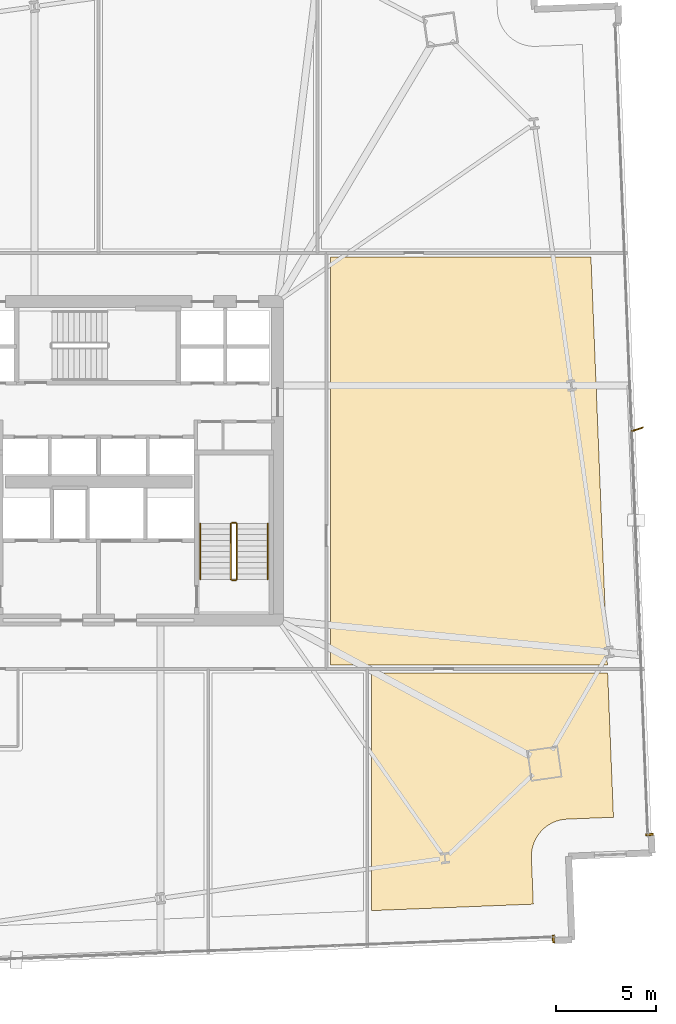
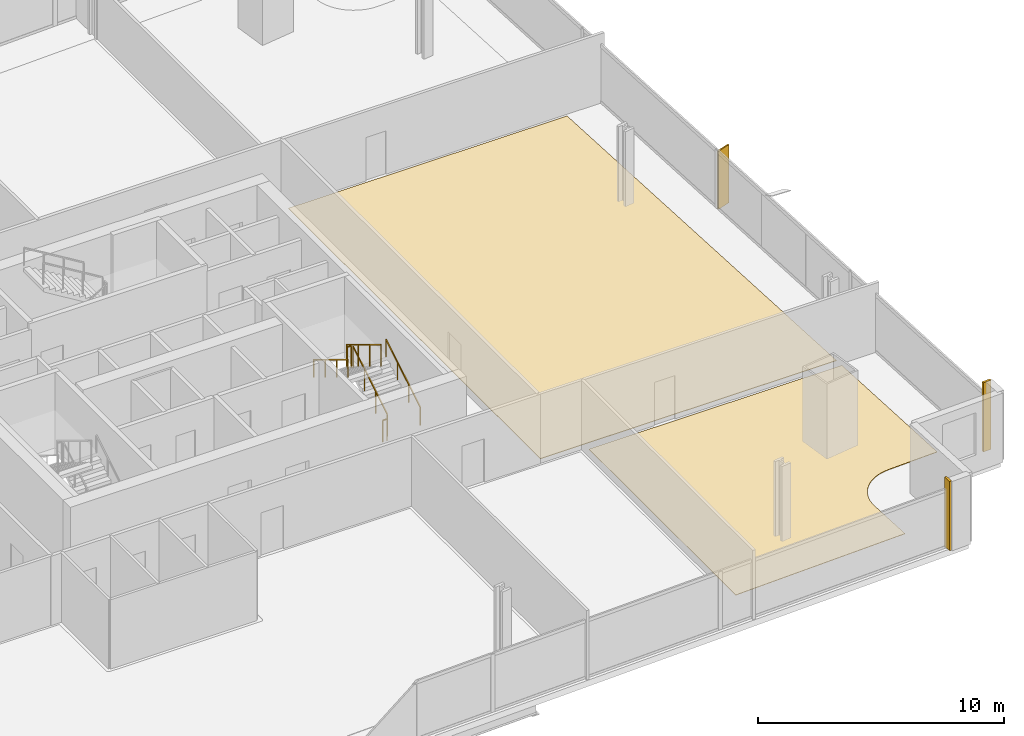
# One storey, part 31 of 32: 6 railings, 4 coverings, 1 shading device.
"""IFC4 building model written with IfcOpenShell, lengths in metres."""

from ifc_helpers import new_model, si_unit, direction, frame, origin, origin_2d, place, context, subcontext, project, spatial, polyline, rectangle, outline, extrude, source, transform, mapped, material, layer, layer_set, type_object, element, save


model = new_model("IFC4")

# Units and contexts
model_context = context("Model", 3, precision=1e-05, world=origin(), true_north=direction((0.0, 1.0)))
body_context = subcontext(model_context, "Body", "Model", "MODEL_VIEW")
ifc_project = project(units=[si_unit("LENGTHUNIT", "METRE"), si_unit("AREAUNIT", "SQUARE_METRE"), si_unit("VOLUMEUNIT", "CUBIC_METRE"), si_unit("PLANEANGLEUNIT", "RADIAN"), si_unit("MASSUNIT", "GRAM", prefix="KILO")], contexts=[model_context])

# Site, building, storey
site_placement = place(None, origin())
site = spatial("IfcSite", under=ifc_project, at=site_placement, CompositionType="ELEMENT")
building_placement = place(site_placement, origin())
building = spatial("IfcBuilding", under=site, at=building_placement, Name="Haldenkirk Collegiate Tower", CompositionType="ELEMENT")
storey_placement = place(building_placement, frame((0.0, 0.0, 36.449951171875)))
storey = spatial("IfcBuildingStorey", under=building, at=storey_placement, Name="L07", CompositionType="ELEMENT", Elevation=36.449951171875)

# Coverings
ifc_material_1 = material(Name="Polished collegiate terrazzo", Category="concrete")
ifc_layer_1 = layer(ifc_material_1, 0.02490234375)
ifc_layer_set_1 = layer_set([ifc_layer_1], Name="Polished collegiate terrazzo")
covering_type_1 = type_object("IfcCoveringType", Name="COV-FLOOR-TERRAZZO", PredefinedType="FLOORING", material=ifc_layer_set_1)
covering_1_placement = place(storey_placement, origin())
element("IfcCovering", 1, at=covering_1_placement, inside=storey, type_object=covering_type_1, Name="L07 academic room finish 12", PredefinedType="FLOORING", context=body_context, shape_type="SweptSolid", body=[
    extrude(outline(polyline([(61.56201171875, 15.75), (47.64990234375, 15.75), (47.64990234375, 36.25), (60.738525390625, 36.25), (61.56201171875, 15.75)])), origin(), (0.0, 0.0, 1.0), 0.025146484375),
])
ifc_material_2 = material(Name="Engineered collegiate oak acoustic flooring", Category="wood")
ifc_layer_2 = layer(ifc_material_2, 0.02197265625)
ifc_layer_set_2 = layer_set([ifc_layer_2], Name="Engineered collegiate oak acoustic flooring")
covering_type_2 = type_object("IfcCoveringType", Name="COV-FLOOR-TIMBER", PredefinedType="FLOORING", material=ifc_layer_set_2)
covering_2_placement = place(storey_placement, origin())
element("IfcCovering", 2, at=covering_2_placement, inside=storey, type_object=covering_type_2, Name="L07 academic room finish 03", PredefinedType="FLOORING", context=body_context, shape_type="SweptSolid", body=[
    extrude(outline(polyline([(61.869384765625, 8.09375), (59.54150390625, 8.000244140625), (59.535400390625, 8.0), (59.364501953125, 7.984619140625), (59.352783203125, 7.98291015625), (59.18408203125, 7.950927734375), (59.172607421875, 7.9482421875), (59.0078125, 7.89990234375), (58.99658203125, 7.89599609375), (58.83740234375, 7.831787109375), (58.826904296875, 7.82666015625), (58.674560546875, 7.7470703125), (58.664306640625, 7.7412109375), (58.520751953125, 7.647216796875), (58.51123046875, 7.64013671875), (58.37744140625, 7.5322265625), (58.36865234375, 7.5244140625), (58.24609375, 7.404296875), (58.23828125, 7.3955078125), (58.128173828125, 7.263671875), (58.12109375, 7.25439453125), (58.0244140625, 7.112548828125), (58.018310546875, 7.102294921875), (57.935791015625, 6.95166015625), (57.930908203125, 6.941162109375), (57.863525390625, 6.782958984375), (57.859619140625, 6.77197265625), (57.80810546875, 6.60791015625), (57.80517578125, 6.5966796875), (57.770263671875, 6.4287109375), (57.768310546875, 6.4169921875), (57.75, 6.24609375), (57.749267578125, 6.234375), (57.747802734375, 6.0625), (57.747802734375, 6.056884765625), (57.84130859375, 3.728515625), (49.699951171875, 3.401611328125), (49.699951171875, 15.35009765625), (61.577880859375, 15.35009765625), (61.869384765625, 8.09375)])), origin(), (0.0, 0.0, 1.0), 0.02197265625),
])

# Railings
ifc_material_3 = material(Name="Painted architectural tubular steel", Category="steel")
railing_type_1 = type_object("IfcRailingType", Name="RLG-STAIR-GUARD-1100", PredefinedType="BALUSTRADE", material=ifc_material_3)
railing_1_placement = place(storey_placement, frame((42.949951171875, 20.050048828125, 0.17041015625)))
element("IfcRailing", 3, at=railing_1_placement, inside=storey, type_object=railing_type_1, Name="L07 ST-2 stair guard 1", PredefinedType="BALUSTRADE", context=body_context, shape_type="SweptSolid", body=[
    extrude(rectangle(XDim=0.048095703125, YDim=0.048095703125, at=origin_2d()), frame((0.0, 0.0, 1.076171875), z_axis=(0.0, 0.854169791009, 0.51999420009), x_axis=(-1.0, 0.0, 0.0)), (0.0, 0.0, 1.0), 3.278076171875),
    extrude(rectangle(XDim=0.0419921875, YDim=0.0419921875, at=origin_2d()), origin(), (0.0, 0.0, 1.0), 1.052001953125),
    extrude(rectangle(XDim=0.0419921875, YDim=0.0419921875, at=origin_2d()), frame((0.0, 0.933349609375, 0.568115234375)), (0.0, 0.0, 1.0), 1.052001953125),
    extrude(rectangle(XDim=0.0419921875, YDim=0.0419921875, at=origin_2d()), frame((0.0, 1.86669921875, 1.136474609375)), (0.0, 0.0, 1.0), 1.052001953125),
    extrude(rectangle(XDim=0.0419921875, YDim=0.0419921875, at=origin_2d()), frame((0.0, 2.800048828125, 1.70458984375)), (0.0, 0.0, 1.0), 1.052001953125),
])
railing_2_placement = place(storey_placement, frame((42.89990234375, 22.89990234375, 1.875)))
element("IfcRailing", 4, at=railing_2_placement, inside=storey, type_object=railing_type_1, Name="L07 ST-2 stair guard 2", PredefinedType="BALUSTRADE", context=body_context, shape_type="SweptSolid", body=[
    extrude(rectangle(XDim=0.048095703125, YDim=0.048095703125, at=origin_2d()), frame((0.0, 0.0, 1.076171875), z_axis=(-1.0, 0.0, 0.0), x_axis=(0.0, -1.0, 0.0)), (0.0, 0.0, 1.0), 0.199951171875),
    extrude(rectangle(XDim=0.0419921875, YDim=0.0419921875, at=origin_2d()), origin(), (0.0, 0.0, 1.0), 1.052001953125),
    extrude(rectangle(XDim=0.0419921875, YDim=0.0419921875, at=origin_2d()), frame((-0.199951171875, 0.0, 0.0)), (0.0, 0.0, 1.0), 1.052001953125),
])
railing_3_placement = place(storey_placement, frame((42.64990234375, 22.85009765625, 2.04541015625)))
element("IfcRailing", 5, at=railing_3_placement, inside=storey, type_object=railing_type_1, Name="L07 ST-2 stair guard 3", PredefinedType="BALUSTRADE", context=body_context, shape_type="SweptSolid", body=[
    extrude(rectangle(XDim=0.048095703125, YDim=0.048095703125, at=origin_2d()), frame((0.0, 0.0, 1.076171875), z_axis=(0.0, -0.854169791009, 0.51999420009), x_axis=(1.0, 0.0, 0.0)), (0.0, 0.0, 1.0), 3.278076171875),
    extrude(rectangle(XDim=0.0419921875, YDim=0.0419921875, at=origin_2d()), origin(), (0.0, 0.0, 1.0), 1.052001953125),
    extrude(rectangle(XDim=0.0419921875, YDim=0.0419921875, at=origin_2d()), frame((0.0, -0.933349609375, 0.568115234375)), (0.0, 0.0, 1.0), 1.052001953125),
    extrude(rectangle(XDim=0.0419921875, YDim=0.0419921875, at=origin_2d()), frame((0.0, -1.86669921875, 1.136474609375)), (0.0, 0.0, 1.0), 1.052001953125),
    extrude(rectangle(XDim=0.0419921875, YDim=0.0419921875, at=origin_2d()), frame((0.0, -2.800048828125, 1.70458984375)), (0.0, 0.0, 1.0), 1.052001953125),
])
railing_4_placement = place(storey_placement, frame((42.89990234375, 20.0, 0.0)))
element("IfcRailing", 6, at=railing_4_placement, inside=storey, type_object=railing_type_1, Name="L07 ST-2 stair guard 4", PredefinedType="BALUSTRADE", context=body_context, shape_type="SweptSolid", body=[
    extrude(rectangle(XDim=0.048095703125, YDim=0.048095703125, at=origin_2d()), frame((0.0, 0.0, 1.076171875), z_axis=(-1.0, 0.0, 0.0), x_axis=(0.0, -1.0, 0.0)), (0.0, 0.0, 1.0), 0.199951171875),
    extrude(rectangle(XDim=0.0419921875, YDim=0.0419921875, at=origin_2d()), origin(), (0.0, 0.0, 1.0), 1.052001953125),
    extrude(rectangle(XDim=0.0419921875, YDim=0.0419921875, at=origin_2d()), frame((-0.199951171875, 0.0, 0.0)), (0.0, 0.0, 1.0), 1.052001953125),
])
railing_type_2 = type_object("IfcRailingType", Name="RLG-STAIR-HANDRAIL-900", PredefinedType="HANDRAIL", material=ifc_material_3)
railing_5_placement = place(storey_placement, frame((44.5, 20.050048828125, 0.17041015625)))
element("IfcRailing", 7, at=railing_5_placement, inside=storey, type_object=railing_type_2, Name="L07 ST-2 stair handrail 1", PredefinedType="HANDRAIL", context=body_context, shape_type="SweptSolid", body=[
    extrude(rectangle(XDim=0.048095703125, YDim=0.048095703125, at=origin_2d()), frame((0.0, 0.0, 0.8759765625), z_axis=(0.0, 0.854169791009, 0.51999420009), x_axis=(-1.0, 0.0, 0.0)), (0.0, 0.0, 1.0), 3.278076171875),
    extrude(rectangle(XDim=0.0419921875, YDim=0.0419921875, at=origin_2d()), origin(), (0.0, 0.0, 1.0), 0.851806640625),
    extrude(rectangle(XDim=0.0419921875, YDim=0.0419921875, at=origin_2d()), frame((0.0, 0.933349609375, 0.568115234375)), (0.0, 0.0, 1.0), 0.851806640625),
    extrude(rectangle(XDim=0.0419921875, YDim=0.0419921875, at=origin_2d()), frame((0.0, 1.86669921875, 1.136474609375)), (0.0, 0.0, 1.0), 0.851806640625),
    extrude(rectangle(XDim=0.0419921875, YDim=0.0419921875, at=origin_2d()), frame((0.0, 2.800048828125, 1.70458984375)), (0.0, 0.0, 1.0), 0.851806640625),
])
railing_6_placement = place(storey_placement, frame((41.10009765625, 22.85009765625, 2.04541015625)))
element("IfcRailing", 8, at=railing_6_placement, inside=storey, type_object=railing_type_2, Name="L07 ST-2 stair handrail 2", PredefinedType="HANDRAIL", context=body_context, shape_type="SweptSolid", body=[
    extrude(rectangle(XDim=0.048095703125, YDim=0.048095703125, at=origin_2d()), frame((0.0, 0.0, 0.8759765625), z_axis=(0.0, -0.854169791009, 0.51999420009), x_axis=(1.0, 0.0, 0.0)), (0.0, 0.0, 1.0), 3.278076171875),
    extrude(rectangle(XDim=0.0419921875, YDim=0.0419921875, at=origin_2d()), origin(), (0.0, 0.0, 1.0), 0.851806640625),
    extrude(rectangle(XDim=0.0419921875, YDim=0.0419921875, at=origin_2d()), frame((0.0, -0.933349609375, 0.568115234375)), (0.0, 0.0, 1.0), 0.851806640625),
    extrude(rectangle(XDim=0.0419921875, YDim=0.0419921875, at=origin_2d()), frame((0.0, -1.86669921875, 1.136474609375)), (0.0, 0.0, 1.0), 0.851806640625),
    extrude(rectangle(XDim=0.0419921875, YDim=0.0419921875, at=origin_2d()), frame((0.0, -2.800048828125, 1.70458984375)), (0.0, 0.0, 1.0), 0.851806640625),
])

# Coverings
ifc_material_4 = material(Name="Anodised architectural bronze aluminium", Category="aluminium")
ifc_layer_3 = layer(ifc_material_4, 0.06005859375)
ifc_layer_set_3 = layer_set([ifc_layer_3], Name="Anodised architectural bronze aluminium")
covering_type_3 = type_object("IfcCoveringType", Name="COV-CLAD-BRONZE-60", PredefinedType="CLADDING", material=ifc_layer_set_3)
shared_shape_1 = source(origin(), body_context, "Body", "SweptSolid", [
    extrude(rectangle(XDim=0.10009765625, YDim=0.3798828125, at=origin_2d()), origin(), (0.0, 0.0, 1.0), 3.43994140625),
])
for number, where, z_axis, x_axis, name in (
    (9, (58.85205078125, 1.98779296875, 0.0), (0.0, 0.0, 1.0), (-0.999194395114, -0.040131792533, 0.0), "L07 recessed curtain-wall bronze jamb closure SJL"),
    (10, (63.685791015625, 7.22607421875, 0.0), (0.0, 0.0, 1.0), (0.040131792533, -0.999194395114, 0.0), "L07 recessed curtain-wall bronze jamb closure EJR"),
):
    element("IfcCovering", number, at=place(storey_placement, frame(where, z_axis=z_axis, x_axis=x_axis)), inside=storey, type_object=covering_type_3, Name=name, PredefinedType="CLADDING", context=body_context, shape_type="MappedRepresentation", body=[
        mapped(shared_shape_1, transform((0.0, 0.0, 0.0), x_axis=(1.0, 0.0, 0.0), y_axis=(0.0, 1.0, 0.0), z_axis=(0.0, 0.0, 1.0), scale=1.0)),
    ])

# Shading device
ifc_layer_4 = layer(ifc_material_4, 0.06494140625)
ifc_layer_set_4 = layer_set([ifc_layer_4], Name="Anodised architectural bronze aluminium")
shading_device_type = type_object("IfcShadingDeviceType", Name="SHD-FIN-BRONZE-620", PredefinedType="USERDEFINED", material=ifc_layer_set_4)
shared_shape_2 = source(origin(), body_context, "Body", "SweptSolid", [
    extrude(rectangle(XDim=0.6201171875, YDim=0.06494140625, at=origin_2d()), origin(), (0.0, 0.0, 1.0), 2.89111328125),
])
shading_device_placement = place(storey_placement, frame((63.072998046875, 27.587890625, 0.0), z_axis=(0.0, 0.0, 1.0), x_axis=(0.949425477642, 0.313992455967, 0.0)))
element("IfcShadingDevice", 11, at=shading_device_placement, inside=storey, type_object=shading_device_type, Name="L07 folded bronze solar fin 1", ObjectType="FIN", PredefinedType="USERDEFINED", context=body_context, shape_type="MappedRepresentation", body=[
    mapped(shared_shape_2, transform((0.0, 0.0, 0.0), x_axis=(1.0, 0.0, 0.0), y_axis=(0.0, 1.0, 0.0), z_axis=(0.0, 0.0, 1.0), scale=1.0)),
])

save(model, "model.ifc")
